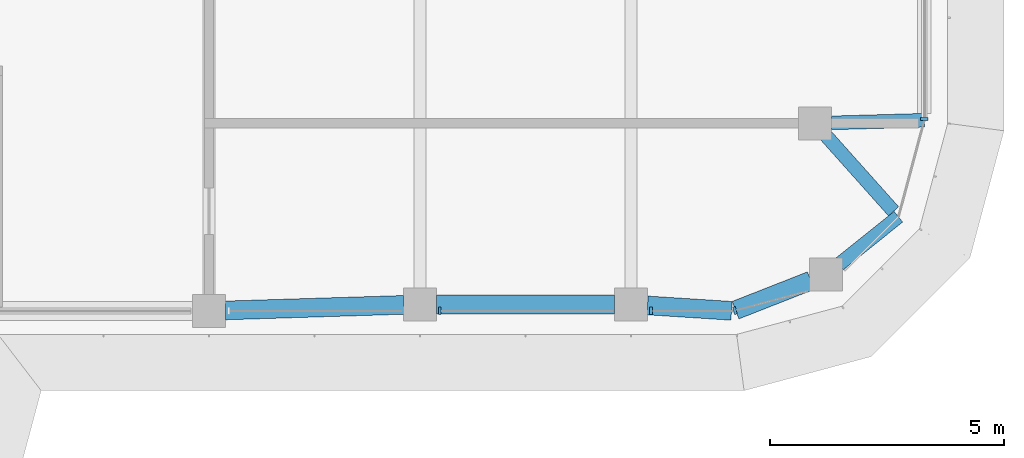
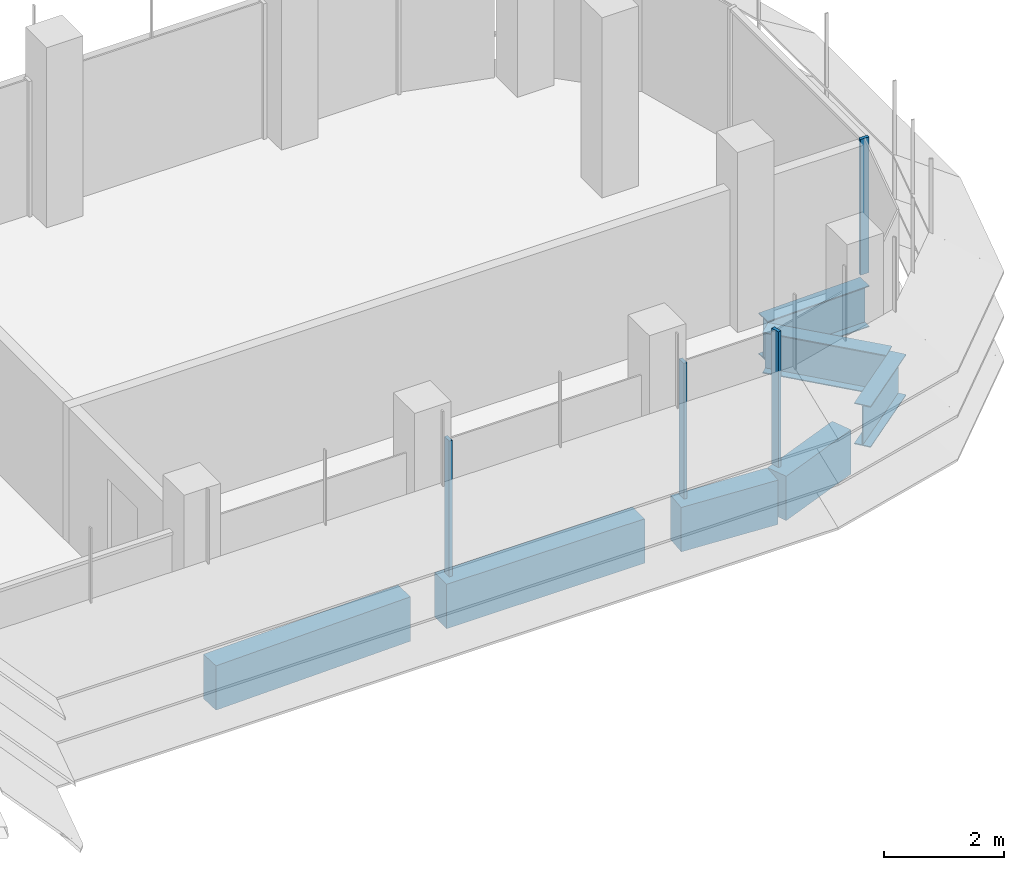
# One storey, part 5 of 19: 7 beams, 4 members, 3 elements without a shape of their own.
"""IFC4 building model written with IfcOpenShell, lengths in metres."""

from ifc_helpers import new_model, si_unit, direction, frame, origin, origin_2d, place, context, subcontext, project, spatial, polyline, rectangle, i_section, outline, extrude, source, transform, mapped, material, material_profile, profile_set, type_object, element, aggregate, save


model = new_model("IFC4")

# Units and contexts
model_context = context("Model", 3, precision=1e-05, world=origin(), true_north=direction((0.0, 1.0)))
body_context = subcontext(model_context, "Body", "Model", "MODEL_VIEW")
ifc_project = project(units=[si_unit("LENGTHUNIT", "METRE"), si_unit("AREAUNIT", "SQUARE_METRE"), si_unit("VOLUMEUNIT", "CUBIC_METRE"), si_unit("PLANEANGLEUNIT", "RADIAN"), si_unit("MASSUNIT", "GRAM", prefix="KILO")], contexts=[model_context])

# Site, building, storey
site_placement = place(None, origin())
site = spatial("IfcSite", under=ifc_project, at=site_placement, CompositionType="ELEMENT")
building_placement = place(site_placement, origin())
building = spatial("IfcBuilding", under=site, at=building_placement, Name="Zarbagh Exchange Tower", CompositionType="ELEMENT")
storey_placement = place(building_placement, frame((0.0, 0.0, 229.60009765625)))
storey = spatial("IfcBuildingStorey", under=building, at=storey_placement, Name="L56", CompositionType="ELEMENT", Elevation=229.60009765625)

# Beams
ifc_material_1 = material(Name="Steel ASTM A992 Gr 50", Category="steel")
ifc_material_profile_1 = material_profile(ifc_material_1, i_section(OverallWidth=0.2919921875, OverallDepth=0.835693359375, WebThickness=0.013916015625, FlangeThickness=0.018798828125, at=origin_2d()), Name="W33X118")
ifc_profile_set_1 = profile_set([ifc_material_profile_1], Name="Steel ASTM A992 Gr 50")
beam_type_1 = type_object("IfcBeamType", Name="Floor girder W33X118", PredefinedType="BEAM", material=ifc_profile_set_1)
beam_1_placement = place(storey_placement, frame((31.0, -2.18408203125, -0.56787109375), z_axis=(-0.999601581355, -0.028225494714, 0.0), x_axis=(0.028225494714, -0.999601581355, 0.0)))
element("IfcBeam", 1, at=beam_1_placement, inside=storey, type_object=beam_type_1, Name="Steel girder", PredefinedType="BEAM", context=body_context, shape_type="SweptSolid", body=[
    extrude(i_section(OverallWidth=0.2919921875, OverallDepth=0.835693359375, WebThickness=0.013916015625, FlangeThickness=0.018798828125, at=origin_2d()), origin(), (0.0, 0.0, 1.0), 1.980712890625),
])
beam_2_placement = place(storey_placement, frame((28.9033203125, -2.510986328125, -0.56787109375), z_axis=(0.666194955403, -0.745777635355, 0.0), x_axis=(0.745777635355, 0.666194955403, 0.0)))
element("IfcBeam", 2, at=beam_2_placement, inside=storey, type_object=beam_type_1, Name="Steel girder", PredefinedType="BEAM", context=body_context, shape_type="SweptSolid", body=[
    extrude(i_section(OverallWidth=0.2919921875, OverallDepth=0.835693359375, WebThickness=0.013916015625, FlangeThickness=0.018798828125, at=origin_2d()), origin(), (0.0, 0.0, 1.0), 2.165771484375),
])
beam_3_placement = place(storey_placement, frame((30.44873046875, -4.2412109375, -0.56787109375), z_axis=(-0.780619385558, -0.625006699877, 0.0), x_axis=(0.625006699877, -0.780619385558, 0.0)))
element("IfcBeam", 3, at=beam_3_placement, inside=storey, type_object=beam_type_1, Name="Steel girder", PredefinedType="BEAM", context=body_context, shape_type="SweptSolid", body=[
    extrude(i_section(OverallWidth=0.2919921875, OverallDepth=0.835693359375, WebThickness=0.013916015625, FlangeThickness=0.018798828125, at=origin_2d()), origin(), (0.0, 0.0, 1.0), 1.623779296875),
])
ifc_material_2 = material(Name="Concrete C50/60", Category="concrete")
ifc_material_profile_2 = material_profile(ifc_material_2, rectangle(XDim=0.39990234375, YDim=0.89990234375, at=origin_2d()), Name="RC spandrel beam 400 x 900 C50/60")
ifc_profile_set_2 = profile_set([ifc_material_profile_2], Name="Concrete C50/60")
beam_type_2 = type_object("IfcBeamType", Name="RC spandrel beam 400 x 900 C50/60", PredefinedType="SPANDREL", material=ifc_profile_set_2)
beam_4_placement = place(storey_placement, frame((28.582275390625, -5.602783203125, -0.60009765625), z_axis=(-0.930818525178, -0.365481700207, 0.0), x_axis=(0.365481700207, -0.930818525178, 0.0)))
element("IfcBeam", 4, at=beam_4_placement, inside=storey, type_object=beam_type_2, Name="RC spandrel beam", PredefinedType="SPANDREL", context=body_context, shape_type="SweptSolid", body=[
    extrude(rectangle(XDim=0.39990234375, YDim=0.89990234375, at=origin_2d()), origin(), (0.0, 0.0, 1.0), 1.72607421875),
])
beam_5_placement = place(storey_placement, frame((26.8896484375, -6.247314453125, -0.60009765625), z_axis=(-0.997943601797, 0.064098109429, 0.0), x_axis=(-0.064098109429, -0.997943601797, 0.0)))
element("IfcBeam", 5, at=beam_5_placement, inside=storey, type_object=beam_type_2, Name="RC spandrel beam", PredefinedType="SPANDREL", context=body_context, shape_type="SweptSolid", body=[
    extrude(rectangle(XDim=0.39990234375, YDim=0.89990234375, at=origin_2d()), origin(), (0.0, 0.0, 1.0), 1.7939453125),
])
beam_6_placement = place(storey_placement, frame((24.39990234375, -6.110107421875, -0.60009765625), z_axis=(-1.0, 0.0, 0.0), x_axis=(0.0, -1.0, 0.0)))
element("IfcBeam", 6, at=beam_6_placement, inside=storey, type_object=beam_type_2, Name="RC spandrel beam", PredefinedType="SPANDREL", context=body_context, shape_type="SweptSolid", body=[
    extrude(rectangle(XDim=0.39990234375, YDim=0.89990234375, at=origin_2d()), origin(), (0.0, 0.0, 1.0), 3.7998046875),
])
beam_7_placement = place(storey_placement, frame((19.900146484375, -6.120849609375, -0.60009765625), z_axis=(-0.999516950199, -0.031078389046, 0.0), x_axis=(0.031078389046, -0.999516950199, 0.0)))
element("IfcBeam", 7, at=beam_7_placement, inside=storey, type_object=beam_type_2, Name="RC spandrel beam", PredefinedType="SPANDREL", context=body_context, shape_type="SweptSolid", body=[
    extrude(rectangle(XDim=0.39990234375, YDim=0.89990234375, at=origin_2d()), origin(), (0.0, 0.0, 1.0), 3.80224609375),
])

# Curtain wall, members
ifc_material_3 = material(Name="Anodised aluminium frame and glazing", Category="aluminium")
curtain_wall_type = type_object("IfcCurtainWallType", Name="CWB Ribbon glazing, upper zones", PredefinedType="NOTDEFINED", material=ifc_material_3)
curtain_wall_1_placement = place(storey_placement, origin())
curtain_wall_1 = element("IfcCurtainWall", 8, at=curtain_wall_1_placement, inside=storey, type_object=curtain_wall_type, Name="CWB08 curtain wall", PredefinedType="NOTDEFINED")
ifc_material_4 = material(Name="Anodised aluminium frame", Category="aluminium")
member_type = type_object("IfcMemberType", Name="MUB Mullion, anodised aluminium frame", PredefinedType="MULLION", material=ifc_material_4)
shared_shape = source(origin(), body_context, "Body", "SweptSolid", [
    extrude(outline(polyline([(0.0, -0.080078125), (0.06005859375, -0.080078125), (0.06005859375, 0.080078125), (0.0, 0.080078125), (0.0, -0.080078125)])), origin(), (0.0, 0.0, 1.0), 2.75),
])
placement = place(storey_placement, origin())
member_1 = element("IfcMember", 9, at=placement, type_object=member_type, Name="CWB08 mullion 3.1", PredefinedType="MULLION", context=body_context, shape_type="MappedRepresentation", body=[
    mapped(shared_shape, transform((20.64013671875, -6.25, 0.0), x_axis=(1.0, 0.0, 0.0), y_axis=(0.0, 1.0, 0.0), z_axis=(0.0, 0.0, 1.0))),
])
member_2 = element("IfcMember", 10, at=placement, type_object=member_type, Name="CWB08 mullion 4.1", PredefinedType="MULLION", context=body_context, shape_type="MappedRepresentation", body=[
    mapped(shared_shape, transform((25.14013671875, -6.25, 0.0), x_axis=(1.0, 0.0, 0.0), y_axis=(0.0, 1.0, 0.0), z_axis=(0.0, 0.0, 1.0))),
])
aggregate(curtain_wall_1, [member_1, member_2])

# Curtain wall, member
curtain_wall_2_placement = place(storey_placement, origin())
curtain_wall_2 = element("IfcCurtainWall", 11, at=curtain_wall_2_placement, inside=storey, type_object=curtain_wall_type, Name="CWB09 curtain wall", PredefinedType="NOTDEFINED")
member_3 = element("IfcMember", 12, at=placement, type_object=member_type, Name="CWB09 mullion 1.1", PredefinedType="MULLION", context=body_context, shape_type="MappedRepresentation", body=[
    mapped(shared_shape, transform((26.93408203125, -6.25, 0.0), x_axis=(0.965924289636, 0.258824779902, 0.0), y_axis=(-0.258824779902, 0.965924289636, 0.0), z_axis=(0.0, 0.0, 1.0))),
])
aggregate(curtain_wall_2, [member_3])

curtain_wall_3_placement = place(storey_placement, origin())
curtain_wall_3 = element("IfcCurtainWall", 13, at=curtain_wall_3_placement, inside=storey, type_object=curtain_wall_type, Name="CWB12 curtain wall", PredefinedType="NOTDEFINED")
member_4 = element("IfcMember", 14, at=placement, type_object=member_type, Name="CWB12 mullion 1.1", PredefinedType="MULLION", context=body_context, shape_type="MappedRepresentation", body=[
    mapped(shared_shape, transform((31.0, -2.18408203125, 0.0), x_axis=(0.0, 1.0, 0.0), y_axis=(-1.0, 0.0, 0.0), z_axis=(0.0, 0.0, 1.0))),
])
aggregate(curtain_wall_3, [member_4])

save(model, "model.ifc")
